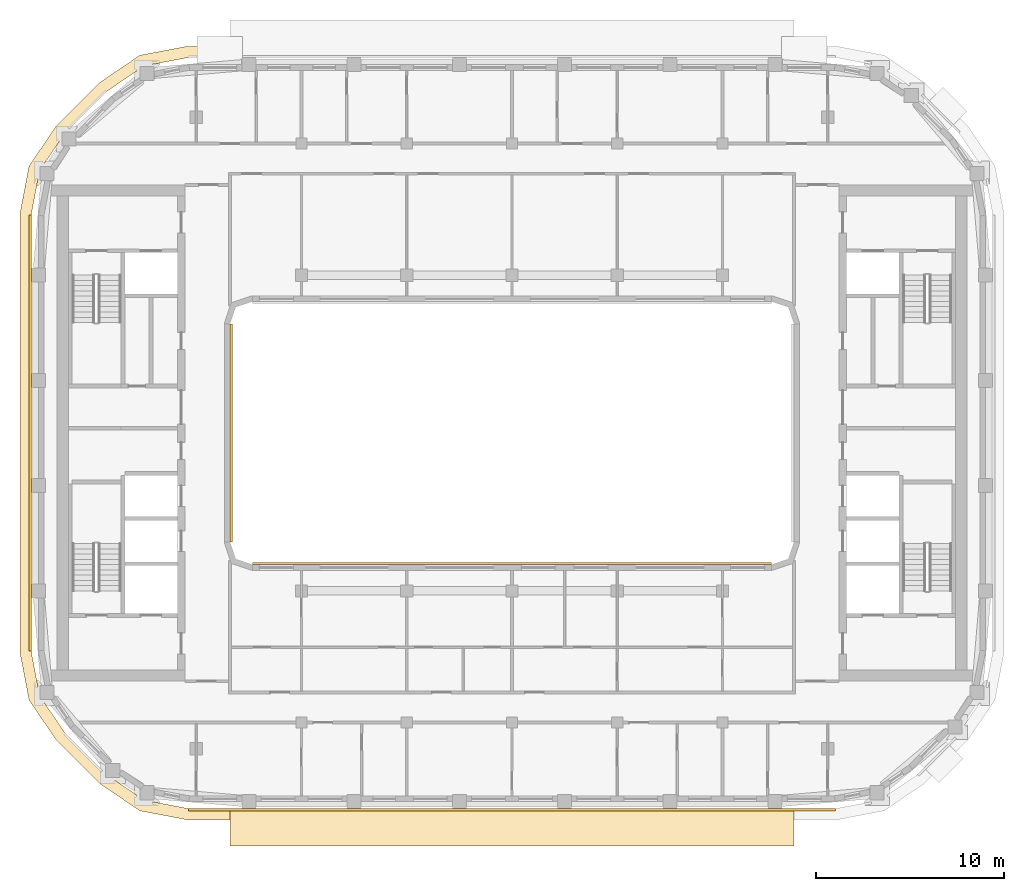
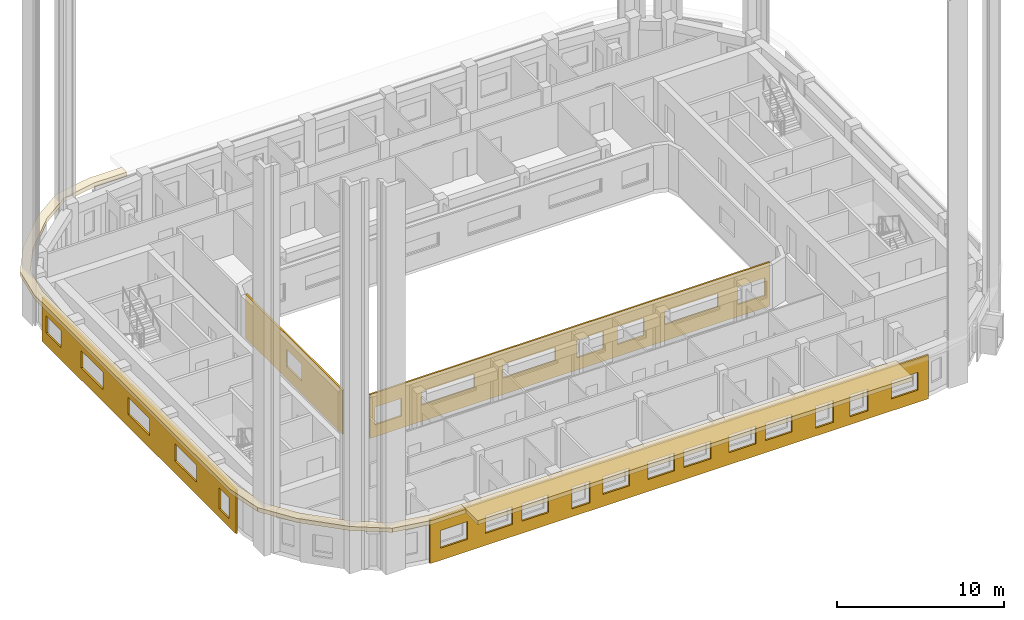
# One storey, part 10 of 15: 6 coverings.
"""IFC4 building model written with IfcOpenShell, lengths in metres."""

from ifc_helpers import new_model, si_unit, direction, frame, origin, place, context, subcontext, project, spatial, polyline, outline, extrude, material, layer, layer_set, type_object, element, save


model = new_model("IFC4")

# Units and contexts
model_context = context("Model", 3, precision=1e-05, world=origin(), true_north=direction((0.0, 1.0)))
body_context = subcontext(model_context, "Body", "Model", "MODEL_VIEW")
ifc_project = project(units=[si_unit("LENGTHUNIT", "METRE"), si_unit("AREAUNIT", "SQUARE_METRE"), si_unit("VOLUMEUNIT", "CUBIC_METRE"), si_unit("PLANEANGLEUNIT", "RADIAN"), si_unit("MASSUNIT", "GRAM", prefix="KILO")], contexts=[model_context])

# Site, building, storey
site_placement = place(None, origin())
site = spatial("IfcSite", under=ifc_project, at=site_placement, CompositionType="ELEMENT")
building_placement = place(site_placement, origin())
building = spatial("IfcBuilding", under=site, at=building_placement, Name="Kiln Ring Residences", CompositionType="ELEMENT")
storey_placement = place(building_placement, frame((0.0, 0.0, 266.199951171875)))
storey = spatial("IfcBuildingStorey", under=building, at=storey_placement, Name="L69", CompositionType="ELEMENT", Elevation=266.199951171875)

# Coverings
ifc_material_1 = material(Name="Brick masonry, dark clay brick", Category="masonry")
ifc_layer_1 = layer(ifc_material_1, 0.1201171875)
ifc_layer_set_1 = layer_set([ifc_layer_1], Name="RAINSCREEN PANEL 120")
covering_type_1 = type_object("IfcCoveringType", Name="RAINSCREEN PANEL 120", PredefinedType="CLADDING", material=ifc_layer_set_1)
covering_1_placement = place(storey_placement, frame((-17.199951171875, -20.034912109375, 0.0), z_axis=(0.0, 0.0, 1.0), x_axis=(1.0, 0.0, 0.0)))
element("IfcCovering", 1, at=covering_1_placement, inside=storey, type_object=covering_type_1, Name="RAINSCREEN L69", PredefinedType="CLADDING", context=body_context, shape_type="SweptSolid", body=[
    extrude(outline(polyline([(0.0, 0.0), (34.39990234375, 0.0), (34.39990234375, 3.199951171875), (0.0, 3.199951171875), (0.0, 0.0)]), holes=[polyline([(9.780029296875, 0.580078125), (11.02001953125, 0.580078125), (11.02001953125, 2.170166015625), (9.780029296875, 2.170166015625), (9.780029296875, 0.580078125)]), polyline([(0.72998046875, 2.170166015625), (0.72998046875, 0.880126953125), (2.570068359375, 0.880126953125), (2.570068359375, 2.170166015625), (0.72998046875, 2.170166015625)]), polyline([(3.830078125, 2.170166015625), (3.830078125, 0.880126953125), (5.669921875, 0.880126953125), (5.669921875, 2.170166015625), (3.830078125, 2.170166015625)]), polyline([(6.330078125, 0.880126953125), (8.169921875, 0.880126953125), (8.169921875, 2.170166015625), (6.330078125, 2.170166015625), (6.330078125, 0.880126953125)]), polyline([(11.929931640625, 2.170166015625), (11.929931640625, 0.880126953125), (13.77001953125, 0.880126953125), (13.77001953125, 2.170166015625), (11.929931640625, 2.170166015625)]), polyline([(15.030029296875, 2.170166015625), (15.030029296875, 0.880126953125), (16.8701171875, 0.880126953125), (16.8701171875, 2.170166015625), (15.030029296875, 2.170166015625)]), polyline([(26.580078125, 0.580078125), (27.820068359375, 0.580078125), (27.820068359375, 2.170166015625), (26.580078125, 2.170166015625), (26.580078125, 0.580078125)]), polyline([(28.97998046875, 2.170166015625), (28.97998046875, 0.580078125), (30.219970703125, 0.580078125), (30.219970703125, 2.170166015625), (28.97998046875, 2.170166015625)]), polyline([(17.530029296875, 2.170166015625), (17.530029296875, 0.880126953125), (19.3701171875, 0.880126953125), (19.3701171875, 2.170166015625), (17.530029296875, 2.170166015625)]), polyline([(20.6298828125, 0.880126953125), (22.469970703125, 0.880126953125), (22.469970703125, 2.170166015625), (20.6298828125, 2.170166015625), (20.6298828125, 0.880126953125)]), polyline([(23.1298828125, 2.170166015625), (23.1298828125, 0.880126953125), (24.969970703125, 0.880126953125), (24.969970703125, 2.170166015625), (23.1298828125, 2.170166015625)]), polyline([(31.830078125, 2.170166015625), (31.830078125, 0.880126953125), (33.669921875, 0.880126953125), (33.669921875, 2.170166015625), (31.830078125, 2.170166015625)])]), frame((0.0, 0.06005859375, 0.0), z_axis=(0.0, -1.0, 0.0), x_axis=(1.0, 0.0, 0.0)), (0.0, 0.0, 1.0), 0.1201171875),
])
covering_2_placement = place(storey_placement, frame((-25.635009765625, 11.60009765625, 0.0), z_axis=(0.0, 0.0, 1.0), x_axis=(0.0, -1.0, 0.0)))
element("IfcCovering", 2, at=covering_2_placement, inside=storey, type_object=covering_type_1, Name="RAINSCREEN L69", PredefinedType="CLADDING", context=body_context, shape_type="SweptSolid", body=[
    extrude(outline(polyline([(0.0, 0.0), (23.199951171875, 0.0), (23.199951171875, 3.199951171875), (0.0, 3.199951171875), (0.0, 0.0)]), holes=[polyline([(22.387451171875, 0.60009765625), (22.387451171875, 2.150146484375), (21.1875, 2.150146484375), (21.1875, 0.60009765625), (22.387451171875, 0.60009765625)]), polyline([(2.3125, 0.900146484375), (2.3125, 2.150146484375), (0.512451171875, 2.150146484375), (0.512451171875, 0.900146484375), (2.3125, 0.900146484375)]), polyline([(7.300048828125, 0.900146484375), (7.300048828125, 2.150146484375), (4.699951171875, 2.150146484375), (4.699951171875, 0.900146484375), (7.300048828125, 0.900146484375)]), polyline([(10.300048828125, 0.900146484375), (12.89990234375, 0.900146484375), (12.89990234375, 2.150146484375), (10.300048828125, 2.150146484375), (10.300048828125, 0.900146484375)]), polyline([(15.89990234375, 0.900146484375), (18.5, 0.900146484375), (18.5, 2.150146484375), (15.89990234375, 2.150146484375), (15.89990234375, 0.900146484375)])]), frame((0.0, 0.06005859375, 0.0), z_axis=(0.0, -1.0, 0.0), x_axis=(1.0, 0.0, 0.0)), (0.0, 0.0, 1.0), 0.1201171875),
])
covering_3_placement = place(storey_placement, frame((-14.93994140625, -5.800048828125, 0.0), z_axis=(0.0, 0.0, 1.0), x_axis=(0.0, 1.0, 0.0)))
element("IfcCovering", 3, at=covering_3_placement, inside=storey, type_object=covering_type_1, Name="RAINSCREEN L69", PredefinedType="CLADDING", context=body_context, shape_type="SweptSolid", body=[
    extrude(outline(polyline([(0.0, 0.0), (11.60009765625, 0.0), (11.60009765625, 3.199951171875), (0.0, 3.199951171875), (0.0, 0.0)]), holes=[polyline([(4.89990234375, 2.150146484375), (4.89990234375, 0.900146484375), (6.699951171875, 0.900146484375), (6.699951171875, 2.150146484375), (4.89990234375, 2.150146484375)])]), frame((0.0, 0.06005859375, 0.0), z_axis=(0.0, -1.0, 0.0), x_axis=(1.0, 0.0, 0.0)), (0.0, 0.0, 1.0), 0.1201171875),
])
covering_4_placement = place(storey_placement, frame((13.800048828125, -6.93994140625, 0.0), z_axis=(0.0, 0.0, 1.0), x_axis=(-1.0, 0.0, 0.0)))
element("IfcCovering", 4, at=covering_4_placement, inside=storey, type_object=covering_type_1, Name="RAINSCREEN L69", PredefinedType="CLADDING", context=body_context, shape_type="SweptSolid", body=[
    extrude(outline(polyline([(0.0, 0.0), (27.60009765625, 0.0), (27.60009765625, 3.199951171875), (0.0, 3.199951171875), (0.0, 0.0)]), holes=[polyline([(2.1826171875, 0.880126953125), (2.1826171875, 2.170166015625), (0.342529296875, 2.170166015625), (0.342529296875, 0.880126953125), (2.1826171875, 0.880126953125)]), polyline([(8.679931640625, 0.880126953125), (10.52001953125, 0.880126953125), (10.52001953125, 2.170166015625), (8.679931640625, 2.170166015625), (8.679931640625, 0.880126953125)]), polyline([(11.47998046875, 0.880126953125), (13.320068359375, 0.880126953125), (13.320068359375, 2.170166015625), (11.47998046875, 2.170166015625), (11.47998046875, 0.880126953125)]), polyline([(25.41748046875, 0.880126953125), (27.257568359375, 0.880126953125), (27.257568359375, 2.170166015625), (25.41748046875, 2.170166015625), (25.41748046875, 0.880126953125)]), polyline([(3.580078125, 1.179931640625), (7.219970703125, 1.179931640625), (7.219970703125, 2.170166015625), (3.580078125, 2.170166015625), (3.580078125, 1.179931640625)]), polyline([(14.780029296875, 1.179931640625), (18.419921875, 1.179931640625), (18.419921875, 2.170166015625), (14.780029296875, 2.170166015625), (14.780029296875, 1.179931640625)]), polyline([(20.3798828125, 1.179931640625), (24.02001953125, 1.179931640625), (24.02001953125, 2.170166015625), (20.3798828125, 2.170166015625), (20.3798828125, 1.179931640625)])]), frame((0.0, 0.06005859375, 0.0), z_axis=(0.0, -1.0, 0.0), x_axis=(1.0, 0.0, 0.0)), (0.0, 0.0, 1.0), 0.1201171875),
])
ifc_material_2 = material(Name="Black powder-coated steel", Category="steel")
ifc_layer_2 = layer(ifc_material_2, 0.300048828125)
ifc_layer_set_2 = layer_set([ifc_layer_2], Name="SUNSHADE BAND 2000")
covering_type_2 = type_object("IfcCoveringType", Name="SUNSHADE BAND 2000", PredefinedType="CLADDING", material=ifc_layer_set_2)
placement = place(storey_placement, frame((0.0, 0.0, 3.199951171875)))
element("IfcCovering", 5, at=placement, inside=storey, type_object=covering_type_2, Name="SUNSHADE BAND L69", PredefinedType="CLADDING", context=body_context, shape_type="SweptSolid", body=[
    extrude(outline(polyline([(-15.0, -21.97509765625), (15.0, -21.97509765625), (15.0, -19.97509765625), (-15.0, -19.97509765625), (-15.0, -21.97509765625)])), origin(), (0.0, 0.0, 1.0), 0.300048828125),
])
ifc_material_3 = material(Name="Black powder-coated steel", Category="steel")
ifc_layer_3 = layer(ifc_material_3, 0.300048828125)
ifc_layer_set_3 = layer_set([ifc_layer_3], Name="SUNSHADE FIN 600")
covering_type_3 = type_object("IfcCoveringType", Name="SUNSHADE FIN 600", PredefinedType="CLADDING", material=ifc_layer_set_3)
element("IfcCovering", 6, at=placement, inside=storey, type_object=covering_type_3, Name="SUNSHADE FIN L69", PredefinedType="CLADDING", context=body_context, shape_type="SweptSolid", body=[
    extrude(outline(polyline([(-26.175048828125, -11.692138671875), (-25.695556640625, -14.205322265625), (-24.257568359375, -16.3212890625), (-21.92138671875, -18.657470703125), (-19.805419921875, -20.095703125), (-17.292236328125, -20.574951171875), (-15.0, -20.574951171875), (-15.0, -19.97509765625), (-17.2353515625, -19.97509765625), (-19.57080078125, -19.529541015625), (-21.537109375, -18.193115234375), (-23.793212890625, -15.937255859375), (-25.12939453125, -13.970703125), (-25.574951171875, -11.635498046875), (-25.574951171875, 11.635498046875), (-25.12939453125, 13.970703125), (-23.793212890625, 15.937255859375), (-21.537109375, 18.193115234375), (-19.57080078125, 19.529541015625), (-17.2353515625, 19.97509765625), (-15.0, 19.97509765625), (-15.0, 20.574951171875), (-17.292236328125, 20.574951171875), (-19.805419921875, 20.095703125), (-21.92138671875, 18.657470703125), (-24.257568359375, 16.3212890625), (-25.695556640625, 14.205322265625), (-26.175048828125, 11.692138671875), (-26.175048828125, -11.692138671875)])), origin(), (0.0, 0.0, 1.0), 0.300048828125),
])

save(model, "model.ifc")
